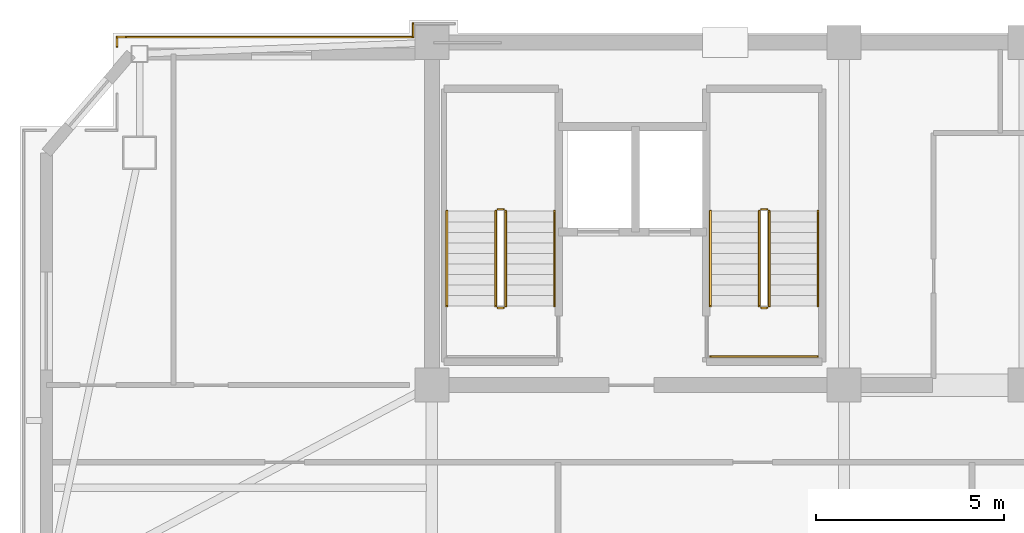
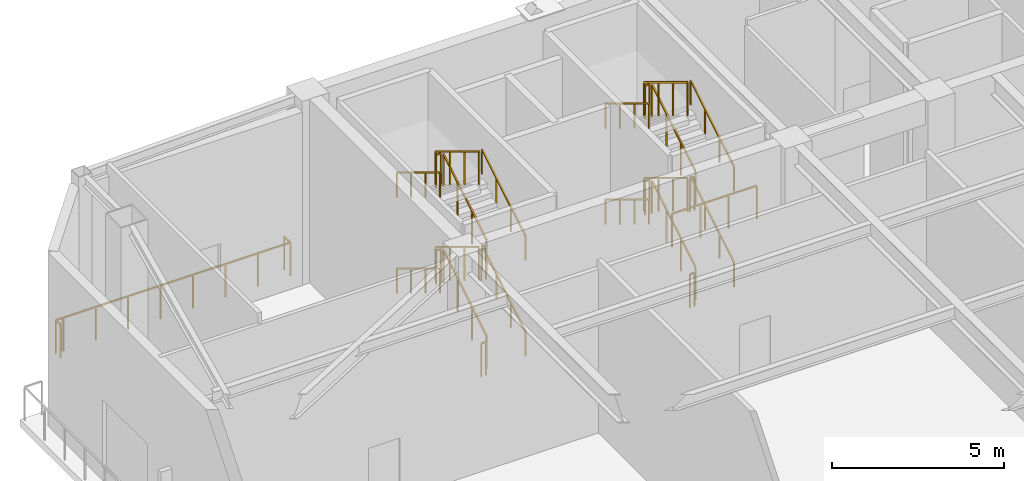
# One storey, part 13 of 15: 29 railings.
"""IFC4 building model written with IfcOpenShell, lengths in metres."""

from ifc_helpers import new_model, si_unit, direction, frame, origin, origin_2d, place, context, subcontext, project, spatial, rectangle, extrude, material, type_object, element, save


model = new_model("IFC4")

# Units and contexts
model_context = context("Model", 3, precision=1e-05, world=origin(), true_north=direction((0.0, 1.0)))
body_context = subcontext(model_context, "Body", "Model", "MODEL_VIEW")
ifc_project = project(units=[si_unit("LENGTHUNIT", "METRE"), si_unit("AREAUNIT", "SQUARE_METRE"), si_unit("VOLUMEUNIT", "CUBIC_METRE"), si_unit("PLANEANGLEUNIT", "RADIAN"), si_unit("MASSUNIT", "GRAM", prefix="KILO")], contexts=[model_context])

# Site, building, storey
site_placement = place(None, origin())
site = spatial("IfcSite", under=ifc_project, at=site_placement, CompositionType="ELEMENT")
building_placement = place(site_placement, origin())
building = spatial("IfcBuilding", under=site, at=building_placement, Name="Giltprow Tower", CompositionType="ELEMENT")
storey_placement = place(building_placement, frame((0.0, 0.0, 279.10009765625)))
storey = spatial("IfcBuildingStorey", under=building, at=storey_placement, Name="L72", CompositionType="ELEMENT", Elevation=279.10009765625)

# Railings
ifc_material = material(Name="Anodized bronze", Category="metal")
railing_type_1 = type_object("IfcRailingType", Name="RAIL-BALC-GUARD-1200", PredefinedType="BALUSTRADE", material=ifc_material)
railing_1_placement = place(storey_placement, frame((11.486083984375, 46.44189453125, 0.0)))
element("IfcRailing", 1, at=railing_1_placement, inside=storey, type_object=railing_type_1, Name="L72 Corner Apron Edge Balustrade 17", PredefinedType="BALUSTRADE", context=body_context, shape_type="SweptSolid", body=[
    extrude(rectangle(XDim=0.048095703125, YDim=0.048095703125, at=origin_2d()), frame((0.0, 0.0, 1.17578125), z_axis=(0.0, 1.0, 0.0), x_axis=(-1.0, 0.0, 0.0)), (0.0, 0.0, 1.0), 0.257080078125),
    extrude(rectangle(XDim=0.0419921875, YDim=0.0419921875, at=origin_2d()), origin(), (0.0, 0.0, 1.0), 1.15185546875),
    extrude(rectangle(XDim=0.0419921875, YDim=0.0419921875, at=origin_2d()), frame((0.0, 0.257080078125, 0.0)), (0.0, 0.0, 1.0), 1.15185546875),
])
railing_2_placement = place(storey_placement, frame((11.486083984375, 46.698974609375, 0.0)))
element("IfcRailing", 2, at=railing_2_placement, inside=storey, type_object=railing_type_1, Name="L72 Corner Apron Edge Balustrade 18", PredefinedType="BALUSTRADE", context=body_context, shape_type="SweptSolid", body=[
    extrude(rectangle(XDim=0.048095703125, YDim=0.048095703125, at=origin_2d()), frame((0.0, 0.0, 1.17578125), z_axis=(1.0, 0.0, 0.0), x_axis=(0.0, 1.0, 0.0)), (0.0, 0.0, 1.0), 0.219970703125),
    extrude(rectangle(XDim=0.0419921875, YDim=0.0419921875, at=origin_2d()), origin(), (0.0, 0.0, 1.0), 1.15185546875),
    extrude(rectangle(XDim=0.0419921875, YDim=0.0419921875, at=origin_2d()), frame((0.219970703125, 0.0, 0.0)), (0.0, 0.0, 1.0), 1.15185546875),
])
railing_3_placement = place(storey_placement, frame((11.737060546875, 46.698974609375, 0.0)))
element("IfcRailing", 3, at=railing_3_placement, inside=storey, type_object=railing_type_1, Name="L72 Corner Apron Edge Balustrade 19", PredefinedType="BALUSTRADE", context=body_context, shape_type="SweptSolid", body=[
    extrude(rectangle(XDim=0.048095703125, YDim=0.048095703125, at=origin_2d()), frame((0.0, 0.0, 1.17578125), z_axis=(1.0, 0.0, 0.0), x_axis=(0.0, 1.0, 0.0)), (0.0, 0.0, 1.0), 7.613037109375),
    extrude(rectangle(XDim=0.0419921875, YDim=0.0419921875, at=origin_2d()), origin(), (0.0, 0.0, 1.0), 1.15185546875),
    extrude(rectangle(XDim=0.0419921875, YDim=0.0419921875, at=origin_2d()), frame((1.087646484375, 0.0, 0.0)), (0.0, 0.0, 1.0), 1.15185546875),
    extrude(rectangle(XDim=0.0419921875, YDim=0.0419921875, at=origin_2d()), frame((2.175048828125, 0.0, 0.0)), (0.0, 0.0, 1.0), 1.15185546875),
    extrude(rectangle(XDim=0.0419921875, YDim=0.0419921875, at=origin_2d()), frame((3.2626953125, 0.0, 0.0)), (0.0, 0.0, 1.0), 1.15185546875),
    extrude(rectangle(XDim=0.0419921875, YDim=0.0419921875, at=origin_2d()), frame((4.350341796875, 0.0, 0.0)), (0.0, 0.0, 1.0), 1.15185546875),
    extrude(rectangle(XDim=0.0419921875, YDim=0.0419921875, at=origin_2d()), frame((5.43798828125, 0.0, 0.0)), (0.0, 0.0, 1.0), 1.15185546875),
    extrude(rectangle(XDim=0.0419921875, YDim=0.0419921875, at=origin_2d()), frame((6.525390625, 0.0, 0.0)), (0.0, 0.0, 1.0), 1.15185546875),
    extrude(rectangle(XDim=0.0419921875, YDim=0.0419921875, at=origin_2d()), frame((7.613037109375, 0.0, 0.0)), (0.0, 0.0, 1.0), 1.15185546875),
])
railing_4_placement = place(storey_placement, frame((19.35009765625, 46.698974609375, 0.0)))
element("IfcRailing", 4, at=railing_4_placement, inside=storey, type_object=railing_type_1, Name="L72 Corner Apron Edge Balustrade 20", PredefinedType="BALUSTRADE", context=body_context, shape_type="SweptSolid", body=[
    extrude(rectangle(XDim=0.048095703125, YDim=0.048095703125, at=origin_2d()), frame((0.0, 0.0, 1.17578125), z_axis=(0.0, 1.0, 0.0), x_axis=(-1.0, 0.0, 0.0)), (0.0, 0.0, 1.0), 0.35107421875),
    extrude(rectangle(XDim=0.0419921875, YDim=0.0419921875, at=origin_2d()), origin(), (0.0, 0.0, 1.0), 1.15185546875),
    extrude(rectangle(XDim=0.0419921875, YDim=0.0419921875, at=origin_2d()), frame((0.0, 0.35107421875, 0.0)), (0.0, 0.0, 1.0), 1.15185546875),
])
railing_type_2 = type_object("IfcRailingType", Name="RAIL-STAIR-GUARD-1200", PredefinedType="GUARDRAIL", material=ifc_material)
railing_5_placement = place(storey_placement, frame((21.81005859375, 39.550048828125, 0.169921875)))
element("IfcRailing", 5, at=railing_5_placement, inside=storey, type_object=railing_type_2, Name="L72 ST-1 stair guard 1", PredefinedType="GUARDRAIL", context=body_context, shape_type="SweptSolid", body=[
    extrude(rectangle(XDim=0.048095703125, YDim=0.048095703125, at=origin_2d()), frame((0.0, 0.0, 1.17578125), z_axis=(0.0, 0.85478489116, 0.518982456201), x_axis=(-1.0, 0.0, 0.0)), (0.0, 0.0, 1.0), 2.9482421875),
    extrude(rectangle(XDim=0.0419921875, YDim=0.0419921875, at=origin_2d()), origin(), (0.0, 0.0, 1.0), 1.15185546875),
    extrude(rectangle(XDim=0.0419921875, YDim=0.0419921875, at=origin_2d()), frame((0.0, 0.840087890625, 0.510009765625)), (0.0, 0.0, 1.0), 1.15185546875),
    extrude(rectangle(XDim=0.0419921875, YDim=0.0419921875, at=origin_2d()), frame((0.0, 1.679931640625, 1.02001953125)), (0.0, 0.0, 1.0), 1.15185546875),
    extrude(rectangle(XDim=0.0419921875, YDim=0.0419921875, at=origin_2d()), frame((0.0, 2.52001953125, 1.530029296875)), (0.0, 0.0, 1.0), 1.15185546875),
])
railing_6_placement = place(storey_placement, frame((21.760009765625, 42.1201171875, 1.699951171875)))
element("IfcRailing", 6, at=railing_6_placement, inside=storey, type_object=railing_type_2, Name="L72 ST-1 stair guard 2", PredefinedType="GUARDRAIL", context=body_context, shape_type="SweptSolid", body=[
    extrude(rectangle(XDim=0.048095703125, YDim=0.048095703125, at=origin_2d()), frame((0.0, 0.0, 1.17578125), z_axis=(-1.0, 0.0, 0.0), x_axis=(0.0, -1.0, 0.0)), (0.0, 0.0, 1.0), 0.159912109375),
    extrude(rectangle(XDim=0.0419921875, YDim=0.0419921875, at=origin_2d()), origin(), (0.0, 0.0, 1.0), 1.15185546875),
    extrude(rectangle(XDim=0.0419921875, YDim=0.0419921875, at=origin_2d()), frame((-0.159912109375, 0.0, 0.0)), (0.0, 0.0, 1.0), 1.15185546875),
])
railing_7_placement = place(storey_placement, frame((21.550048828125, 42.070068359375, 1.869873046875)))
element("IfcRailing", 7, at=railing_7_placement, inside=storey, type_object=railing_type_2, Name="L72 ST-1 stair guard 3", PredefinedType="GUARDRAIL", context=body_context, shape_type="SweptSolid", body=[
    extrude(rectangle(XDim=0.048095703125, YDim=0.048095703125, at=origin_2d()), frame((0.0, 0.0, 1.17578125), z_axis=(0.0, -0.85478489116, 0.518982456201), x_axis=(1.0, 0.0, 0.0)), (0.0, 0.0, 1.0), 2.9482421875),
    extrude(rectangle(XDim=0.0419921875, YDim=0.0419921875, at=origin_2d()), origin(), (0.0, 0.0, 1.0), 1.15185546875),
    extrude(rectangle(XDim=0.0419921875, YDim=0.0419921875, at=origin_2d()), frame((0.0, -0.840087890625, 0.510009765625)), (0.0, 0.0, 1.0), 1.15185546875),
    extrude(rectangle(XDim=0.0419921875, YDim=0.0419921875, at=origin_2d()), frame((0.0, -1.679931640625, 1.02001953125)), (0.0, 0.0, 1.0), 1.15185546875),
    extrude(rectangle(XDim=0.0419921875, YDim=0.0419921875, at=origin_2d()), frame((0.0, -2.52001953125, 1.530029296875)), (0.0, 0.0, 1.0), 1.15185546875),
])
railing_8_placement = place(storey_placement, frame((21.760009765625, 39.5, 3.39990234375)))
element("IfcRailing", 8, at=railing_8_placement, inside=storey, type_object=railing_type_2, Name="L72 ST-1 stair guard 4", PredefinedType="GUARDRAIL", context=body_context, shape_type="SweptSolid", body=[
    extrude(rectangle(XDim=0.048095703125, YDim=0.048095703125, at=origin_2d()), frame((0.0, 0.0, 1.17578125), z_axis=(-1.0, 0.0, 0.0), x_axis=(0.0, -1.0, 0.0)), (0.0, 0.0, 1.0), 0.159912109375),
    extrude(rectangle(XDim=0.0419921875, YDim=0.0419921875, at=origin_2d()), origin(), (0.0, 0.0, 1.0), 1.15185546875),
    extrude(rectangle(XDim=0.0419921875, YDim=0.0419921875, at=origin_2d()), frame((-0.159912109375, 0.0, 0.0)), (0.0, 0.0, 1.0), 1.15185546875),
])
railing_9_placement = place(storey_placement, frame((21.81005859375, 39.550048828125, 3.56982421875)))
element("IfcRailing", 9, at=railing_9_placement, inside=storey, type_object=railing_type_2, Name="L72 ST-1 stair guard 5", PredefinedType="GUARDRAIL", context=body_context, shape_type="SweptSolid", body=[
    extrude(rectangle(XDim=0.048095703125, YDim=0.048095703125, at=origin_2d()), frame((0.0, 0.0, 1.17578125), z_axis=(0.0, 0.85478489116, 0.518982456201), x_axis=(-1.0, 0.0, 0.0)), (0.0, 0.0, 1.0), 2.9482421875),
    extrude(rectangle(XDim=0.0419921875, YDim=0.0419921875, at=origin_2d()), origin(), (0.0, 0.0, 1.0), 1.15185546875),
    extrude(rectangle(XDim=0.0419921875, YDim=0.0419921875, at=origin_2d()), frame((0.0, 0.840087890625, 0.510009765625)), (0.0, 0.0, 1.0), 1.15185546875),
    extrude(rectangle(XDim=0.0419921875, YDim=0.0419921875, at=origin_2d()), frame((0.0, 1.679931640625, 1.02001953125)), (0.0, 0.0, 1.0), 1.15185546875),
    extrude(rectangle(XDim=0.0419921875, YDim=0.0419921875, at=origin_2d()), frame((0.0, 2.52001953125, 1.530029296875)), (0.0, 0.0, 1.0), 1.15185546875),
])
railing_10_placement = place(storey_placement, frame((21.760009765625, 42.1201171875, 5.099853515625)))
element("IfcRailing", 10, at=railing_10_placement, inside=storey, type_object=railing_type_2, Name="L72 ST-1 stair guard 6", PredefinedType="GUARDRAIL", context=body_context, shape_type="SweptSolid", body=[
    extrude(rectangle(XDim=0.048095703125, YDim=0.048095703125, at=origin_2d()), frame((0.0, 0.0, 1.17578125), z_axis=(-1.0, 0.0, 0.0), x_axis=(0.0, -1.0, 0.0)), (0.0, 0.0, 1.0), 0.159912109375),
    extrude(rectangle(XDim=0.0419921875, YDim=0.0419921875, at=origin_2d()), origin(), (0.0, 0.0, 1.0), 1.15185546875),
    extrude(rectangle(XDim=0.0419921875, YDim=0.0419921875, at=origin_2d()), frame((-0.159912109375, 0.0, 0.0)), (0.0, 0.0, 1.0), 1.15185546875),
])
railing_11_placement = place(storey_placement, frame((21.550048828125, 42.070068359375, 5.27001953125)))
element("IfcRailing", 11, at=railing_11_placement, inside=storey, type_object=railing_type_2, Name="L72 ST-1 stair guard 7", PredefinedType="GUARDRAIL", context=body_context, shape_type="SweptSolid", body=[
    extrude(rectangle(XDim=0.048095703125, YDim=0.048095703125, at=origin_2d()), frame((0.0, 0.0, 1.17578125), z_axis=(0.0, -0.854821627497, 0.518921945155), x_axis=(1.0, 0.0, 0.0)), (0.0, 0.0, 1.0), 2.947998046875),
    extrude(rectangle(XDim=0.0419921875, YDim=0.0419921875, at=origin_2d()), origin(), (0.0, 0.0, 1.0), 1.15185546875),
    extrude(rectangle(XDim=0.0419921875, YDim=0.0419921875, at=origin_2d()), frame((0.0, -0.840087890625, 0.510009765625)), (0.0, 0.0, 1.0), 1.15185546875),
    extrude(rectangle(XDim=0.0419921875, YDim=0.0419921875, at=origin_2d()), frame((0.0, -1.679931640625, 1.019775390625)), (0.0, 0.0, 1.0), 1.15185546875),
    extrude(rectangle(XDim=0.0419921875, YDim=0.0419921875, at=origin_2d()), frame((0.0, -2.52001953125, 1.52978515625)), (0.0, 0.0, 1.0), 1.15185546875),
])
railing_12_placement = place(storey_placement, frame((21.760009765625, 39.5, 0.0)))
element("IfcRailing", 12, at=railing_12_placement, inside=storey, type_object=railing_type_2, Name="L72 ST-1 stair guard 8", PredefinedType="GUARDRAIL", context=body_context, shape_type="SweptSolid", body=[
    extrude(rectangle(XDim=0.048095703125, YDim=0.048095703125, at=origin_2d()), frame((0.0, 0.0, 1.17578125), z_axis=(-1.0, 0.0, 0.0), x_axis=(0.0, -1.0, 0.0)), (0.0, 0.0, 1.0), 0.159912109375),
    extrude(rectangle(XDim=0.0419921875, YDim=0.0419921875, at=origin_2d()), origin(), (0.0, 0.0, 1.0), 1.15185546875),
    extrude(rectangle(XDim=0.0419921875, YDim=0.0419921875, at=origin_2d()), frame((-0.159912109375, 0.0, 0.0)), (0.0, 0.0, 1.0), 1.15185546875),
])
railing_13_placement = place(storey_placement, frame((28.81005859375, 39.550048828125, 0.169921875)))
element("IfcRailing", 13, at=railing_13_placement, inside=storey, type_object=railing_type_2, Name="L72 ST-2 stair guard 1", PredefinedType="GUARDRAIL", context=body_context, shape_type="SweptSolid", body=[
    extrude(rectangle(XDim=0.048095703125, YDim=0.048095703125, at=origin_2d()), frame((0.0, 0.0, 1.17578125), z_axis=(0.0, 0.85478489116, 0.518982456201), x_axis=(-1.0, 0.0, 0.0)), (0.0, 0.0, 1.0), 2.9482421875),
    extrude(rectangle(XDim=0.0419921875, YDim=0.0419921875, at=origin_2d()), origin(), (0.0, 0.0, 1.0), 1.15185546875),
    extrude(rectangle(XDim=0.0419921875, YDim=0.0419921875, at=origin_2d()), frame((0.0, 0.840087890625, 0.510009765625)), (0.0, 0.0, 1.0), 1.15185546875),
    extrude(rectangle(XDim=0.0419921875, YDim=0.0419921875, at=origin_2d()), frame((0.0, 1.679931640625, 1.02001953125)), (0.0, 0.0, 1.0), 1.15185546875),
    extrude(rectangle(XDim=0.0419921875, YDim=0.0419921875, at=origin_2d()), frame((0.0, 2.52001953125, 1.530029296875)), (0.0, 0.0, 1.0), 1.15185546875),
])
railing_14_placement = place(storey_placement, frame((28.760009765625, 42.1201171875, 1.699951171875)))
element("IfcRailing", 14, at=railing_14_placement, inside=storey, type_object=railing_type_2, Name="L72 ST-2 stair guard 2", PredefinedType="GUARDRAIL", context=body_context, shape_type="SweptSolid", body=[
    extrude(rectangle(XDim=0.048095703125, YDim=0.048095703125, at=origin_2d()), frame((0.0, 0.0, 1.17578125), z_axis=(-1.0, 0.0, 0.0), x_axis=(0.0, -1.0, 0.0)), (0.0, 0.0, 1.0), 0.159912109375),
    extrude(rectangle(XDim=0.0419921875, YDim=0.0419921875, at=origin_2d()), origin(), (0.0, 0.0, 1.0), 1.15185546875),
    extrude(rectangle(XDim=0.0419921875, YDim=0.0419921875, at=origin_2d()), frame((-0.159912109375, 0.0, 0.0)), (0.0, 0.0, 1.0), 1.15185546875),
])
railing_15_placement = place(storey_placement, frame((28.550048828125, 42.070068359375, 1.869873046875)))
element("IfcRailing", 15, at=railing_15_placement, inside=storey, type_object=railing_type_2, Name="L72 ST-2 stair guard 3", PredefinedType="GUARDRAIL", context=body_context, shape_type="SweptSolid", body=[
    extrude(rectangle(XDim=0.048095703125, YDim=0.048095703125, at=origin_2d()), frame((0.0, 0.0, 1.17578125), z_axis=(0.0, -0.85478489116, 0.518982456201), x_axis=(1.0, 0.0, 0.0)), (0.0, 0.0, 1.0), 2.9482421875),
    extrude(rectangle(XDim=0.0419921875, YDim=0.0419921875, at=origin_2d()), origin(), (0.0, 0.0, 1.0), 1.15185546875),
    extrude(rectangle(XDim=0.0419921875, YDim=0.0419921875, at=origin_2d()), frame((0.0, -0.840087890625, 0.510009765625)), (0.0, 0.0, 1.0), 1.15185546875),
    extrude(rectangle(XDim=0.0419921875, YDim=0.0419921875, at=origin_2d()), frame((0.0, -1.679931640625, 1.02001953125)), (0.0, 0.0, 1.0), 1.15185546875),
    extrude(rectangle(XDim=0.0419921875, YDim=0.0419921875, at=origin_2d()), frame((0.0, -2.52001953125, 1.530029296875)), (0.0, 0.0, 1.0), 1.15185546875),
])
railing_16_placement = place(storey_placement, frame((28.760009765625, 39.5, 3.39990234375)))
element("IfcRailing", 16, at=railing_16_placement, inside=storey, type_object=railing_type_2, Name="L72 ST-2 stair guard 4", PredefinedType="GUARDRAIL", context=body_context, shape_type="SweptSolid", body=[
    extrude(rectangle(XDim=0.048095703125, YDim=0.048095703125, at=origin_2d()), frame((0.0, 0.0, 1.17578125), z_axis=(-1.0, 0.0, 0.0), x_axis=(0.0, -1.0, 0.0)), (0.0, 0.0, 1.0), 0.159912109375),
    extrude(rectangle(XDim=0.0419921875, YDim=0.0419921875, at=origin_2d()), origin(), (0.0, 0.0, 1.0), 1.15185546875),
    extrude(rectangle(XDim=0.0419921875, YDim=0.0419921875, at=origin_2d()), frame((-0.159912109375, 0.0, 0.0)), (0.0, 0.0, 1.0), 1.15185546875),
])
railing_17_placement = place(storey_placement, frame((28.81005859375, 39.550048828125, 3.56982421875)))
element("IfcRailing", 17, at=railing_17_placement, inside=storey, type_object=railing_type_2, Name="L72 ST-2 stair guard 5", PredefinedType="GUARDRAIL", context=body_context, shape_type="SweptSolid", body=[
    extrude(rectangle(XDim=0.048095703125, YDim=0.048095703125, at=origin_2d()), frame((0.0, 0.0, 1.17578125), z_axis=(0.0, 0.85478489116, 0.518982456201), x_axis=(-1.0, 0.0, 0.0)), (0.0, 0.0, 1.0), 2.9482421875),
    extrude(rectangle(XDim=0.0419921875, YDim=0.0419921875, at=origin_2d()), origin(), (0.0, 0.0, 1.0), 1.15185546875),
    extrude(rectangle(XDim=0.0419921875, YDim=0.0419921875, at=origin_2d()), frame((0.0, 0.840087890625, 0.510009765625)), (0.0, 0.0, 1.0), 1.15185546875),
    extrude(rectangle(XDim=0.0419921875, YDim=0.0419921875, at=origin_2d()), frame((0.0, 1.679931640625, 1.02001953125)), (0.0, 0.0, 1.0), 1.15185546875),
    extrude(rectangle(XDim=0.0419921875, YDim=0.0419921875, at=origin_2d()), frame((0.0, 2.52001953125, 1.530029296875)), (0.0, 0.0, 1.0), 1.15185546875),
])
railing_18_placement = place(storey_placement, frame((28.760009765625, 42.1201171875, 5.099853515625)))
element("IfcRailing", 18, at=railing_18_placement, inside=storey, type_object=railing_type_2, Name="L72 ST-2 stair guard 6", PredefinedType="GUARDRAIL", context=body_context, shape_type="SweptSolid", body=[
    extrude(rectangle(XDim=0.048095703125, YDim=0.048095703125, at=origin_2d()), frame((0.0, 0.0, 1.17578125), z_axis=(-1.0, 0.0, 0.0), x_axis=(0.0, -1.0, 0.0)), (0.0, 0.0, 1.0), 0.159912109375),
    extrude(rectangle(XDim=0.0419921875, YDim=0.0419921875, at=origin_2d()), origin(), (0.0, 0.0, 1.0), 1.15185546875),
    extrude(rectangle(XDim=0.0419921875, YDim=0.0419921875, at=origin_2d()), frame((-0.159912109375, 0.0, 0.0)), (0.0, 0.0, 1.0), 1.15185546875),
])
railing_19_placement = place(storey_placement, frame((28.550048828125, 42.070068359375, 5.27001953125)))
element("IfcRailing", 19, at=railing_19_placement, inside=storey, type_object=railing_type_2, Name="L72 ST-2 stair guard 7", PredefinedType="GUARDRAIL", context=body_context, shape_type="SweptSolid", body=[
    extrude(rectangle(XDim=0.048095703125, YDim=0.048095703125, at=origin_2d()), frame((0.0, 0.0, 1.17578125), z_axis=(0.0, -0.854821627497, 0.518921945155), x_axis=(1.0, 0.0, 0.0)), (0.0, 0.0, 1.0), 2.947998046875),
    extrude(rectangle(XDim=0.0419921875, YDim=0.0419921875, at=origin_2d()), origin(), (0.0, 0.0, 1.0), 1.15185546875),
    extrude(rectangle(XDim=0.0419921875, YDim=0.0419921875, at=origin_2d()), frame((0.0, -0.840087890625, 0.510009765625)), (0.0, 0.0, 1.0), 1.15185546875),
    extrude(rectangle(XDim=0.0419921875, YDim=0.0419921875, at=origin_2d()), frame((0.0, -1.679931640625, 1.019775390625)), (0.0, 0.0, 1.0), 1.15185546875),
    extrude(rectangle(XDim=0.0419921875, YDim=0.0419921875, at=origin_2d()), frame((0.0, -2.52001953125, 1.52978515625)), (0.0, 0.0, 1.0), 1.15185546875),
])
railing_20_placement = place(storey_placement, frame((28.760009765625, 39.5, 0.0)))
element("IfcRailing", 20, at=railing_20_placement, inside=storey, type_object=railing_type_2, Name="L72 ST-2 stair guard 8", PredefinedType="GUARDRAIL", context=body_context, shape_type="SweptSolid", body=[
    extrude(rectangle(XDim=0.048095703125, YDim=0.048095703125, at=origin_2d()), frame((0.0, 0.0, 1.17578125), z_axis=(-1.0, 0.0, 0.0), x_axis=(0.0, -1.0, 0.0)), (0.0, 0.0, 1.0), 0.159912109375),
    extrude(rectangle(XDim=0.0419921875, YDim=0.0419921875, at=origin_2d()), origin(), (0.0, 0.0, 1.0), 1.15185546875),
    extrude(rectangle(XDim=0.0419921875, YDim=0.0419921875, at=origin_2d()), frame((-0.159912109375, 0.0, 0.0)), (0.0, 0.0, 1.0), 1.15185546875),
])
railing_21_placement = place(storey_placement, frame((27.260009765625, 38.2099609375, 3.39990234375)))
element("IfcRailing", 21, at=railing_21_placement, inside=storey, type_object=railing_type_2, Name="L72 ST-2 Mid-Landing Guard 2", PredefinedType="GUARDRAIL", context=body_context, shape_type="SweptSolid", body=[
    extrude(rectangle(XDim=0.048095703125, YDim=0.048095703125, at=origin_2d()), frame((0.0, 0.0, 1.17578125), z_axis=(1.0, 0.0, 0.0), x_axis=(0.0, 1.0, 0.0)), (0.0, 0.0, 1.0), 2.840087890625),
    extrude(rectangle(XDim=0.0419921875, YDim=0.0419921875, at=origin_2d()), origin(), (0.0, 0.0, 1.0), 1.15185546875),
    extrude(rectangle(XDim=0.0419921875, YDim=0.0419921875, at=origin_2d()), frame((0.94677734375, 0.0, 0.0)), (0.0, 0.0, 1.0), 1.15185546875),
    extrude(rectangle(XDim=0.0419921875, YDim=0.0419921875, at=origin_2d()), frame((1.893310546875, 0.0, 0.0)), (0.0, 0.0, 1.0), 1.15185546875),
    extrude(rectangle(XDim=0.0419921875, YDim=0.0419921875, at=origin_2d()), frame((2.840087890625, 0.0, 0.0)), (0.0, 0.0, 1.0), 1.15185546875),
])
railing_type_3 = type_object("IfcRailingType", Name="RAIL-STAIR-HAND-900", PredefinedType="HANDRAIL", material=ifc_material)
railing_22_placement = place(storey_placement, frame((23.110107421875, 39.550048828125, 0.169921875)))
element("IfcRailing", 22, at=railing_22_placement, inside=storey, type_object=railing_type_3, Name="L72 ST-1 stair handrail 1", PredefinedType="HANDRAIL", context=body_context, shape_type="SweptSolid", body=[
    extrude(rectangle(XDim=0.048095703125, YDim=0.048095703125, at=origin_2d()), frame((0.0, 0.0, 0.8759765625), z_axis=(0.0, 0.85478489116, 0.518982456201), x_axis=(-1.0, 0.0, 0.0)), (0.0, 0.0, 1.0), 2.9482421875),
    extrude(rectangle(XDim=0.0419921875, YDim=0.0419921875, at=origin_2d()), origin(), (0.0, 0.0, 1.0), 0.851806640625),
    extrude(rectangle(XDim=0.0419921875, YDim=0.0419921875, at=origin_2d()), frame((0.0, 0.840087890625, 0.510009765625)), (0.0, 0.0, 1.0), 0.851806640625),
    extrude(rectangle(XDim=0.0419921875, YDim=0.0419921875, at=origin_2d()), frame((0.0, 1.679931640625, 1.02001953125)), (0.0, 0.0, 1.0), 0.851806640625),
    extrude(rectangle(XDim=0.0419921875, YDim=0.0419921875, at=origin_2d()), frame((0.0, 2.52001953125, 1.530029296875)), (0.0, 0.0, 1.0), 0.851806640625),
])
railing_23_placement = place(storey_placement, frame((20.25, 42.070068359375, 1.869873046875)))
element("IfcRailing", 23, at=railing_23_placement, inside=storey, type_object=railing_type_3, Name="L72 ST-1 stair handrail 2", PredefinedType="HANDRAIL", context=body_context, shape_type="SweptSolid", body=[
    extrude(rectangle(XDim=0.048095703125, YDim=0.048095703125, at=origin_2d()), frame((0.0, 0.0, 0.8759765625), z_axis=(0.0, -0.85478489116, 0.518982456201), x_axis=(1.0, 0.0, 0.0)), (0.0, 0.0, 1.0), 2.9482421875),
    extrude(rectangle(XDim=0.0419921875, YDim=0.0419921875, at=origin_2d()), origin(), (0.0, 0.0, 1.0), 0.851806640625),
    extrude(rectangle(XDim=0.0419921875, YDim=0.0419921875, at=origin_2d()), frame((0.0, -0.840087890625, 0.510009765625)), (0.0, 0.0, 1.0), 0.851806640625),
    extrude(rectangle(XDim=0.0419921875, YDim=0.0419921875, at=origin_2d()), frame((0.0, -1.679931640625, 1.02001953125)), (0.0, 0.0, 1.0), 0.851806640625),
    extrude(rectangle(XDim=0.0419921875, YDim=0.0419921875, at=origin_2d()), frame((0.0, -2.52001953125, 1.530029296875)), (0.0, 0.0, 1.0), 0.851806640625),
])
railing_24_placement = place(storey_placement, frame((23.110107421875, 39.550048828125, 3.56982421875)))
element("IfcRailing", 24, at=railing_24_placement, inside=storey, type_object=railing_type_3, Name="L72 ST-1 stair handrail 3", PredefinedType="HANDRAIL", context=body_context, shape_type="SweptSolid", body=[
    extrude(rectangle(XDim=0.048095703125, YDim=0.048095703125, at=origin_2d()), frame((0.0, 0.0, 0.8759765625), z_axis=(0.0, 0.85478489116, 0.518982456201), x_axis=(-1.0, 0.0, 0.0)), (0.0, 0.0, 1.0), 2.9482421875),
    extrude(rectangle(XDim=0.0419921875, YDim=0.0419921875, at=origin_2d()), origin(), (0.0, 0.0, 1.0), 0.851806640625),
    extrude(rectangle(XDim=0.0419921875, YDim=0.0419921875, at=origin_2d()), frame((0.0, 0.840087890625, 0.510009765625)), (0.0, 0.0, 1.0), 0.851806640625),
    extrude(rectangle(XDim=0.0419921875, YDim=0.0419921875, at=origin_2d()), frame((0.0, 1.679931640625, 1.02001953125)), (0.0, 0.0, 1.0), 0.851806640625),
    extrude(rectangle(XDim=0.0419921875, YDim=0.0419921875, at=origin_2d()), frame((0.0, 2.52001953125, 1.530029296875)), (0.0, 0.0, 1.0), 0.851806640625),
])
railing_25_placement = place(storey_placement, frame((20.25, 42.070068359375, 5.27001953125)))
element("IfcRailing", 25, at=railing_25_placement, inside=storey, type_object=railing_type_3, Name="L72 ST-1 stair handrail 4", PredefinedType="HANDRAIL", context=body_context, shape_type="SweptSolid", body=[
    extrude(rectangle(XDim=0.048095703125, YDim=0.048095703125, at=origin_2d()), frame((0.0, 0.0, 0.8759765625), z_axis=(0.0, -0.854821627497, 0.518921945155), x_axis=(1.0, 0.0, 0.0)), (0.0, 0.0, 1.0), 2.947998046875),
    extrude(rectangle(XDim=0.0419921875, YDim=0.0419921875, at=origin_2d()), origin(), (0.0, 0.0, 1.0), 0.851806640625),
    extrude(rectangle(XDim=0.0419921875, YDim=0.0419921875, at=origin_2d()), frame((0.0, -0.840087890625, 0.510009765625)), (0.0, 0.0, 1.0), 0.851806640625),
    extrude(rectangle(XDim=0.0419921875, YDim=0.0419921875, at=origin_2d()), frame((0.0, -1.679931640625, 1.019775390625)), (0.0, 0.0, 1.0), 0.851806640625),
    extrude(rectangle(XDim=0.0419921875, YDim=0.0419921875, at=origin_2d()), frame((0.0, -2.52001953125, 1.52978515625)), (0.0, 0.0, 1.0), 0.851806640625),
])
railing_26_placement = place(storey_placement, frame((30.110107421875, 39.550048828125, 0.169921875)))
element("IfcRailing", 26, at=railing_26_placement, inside=storey, type_object=railing_type_3, Name="L72 ST-2 stair handrail 1", PredefinedType="HANDRAIL", context=body_context, shape_type="SweptSolid", body=[
    extrude(rectangle(XDim=0.048095703125, YDim=0.048095703125, at=origin_2d()), frame((0.0, 0.0, 0.8759765625), z_axis=(0.0, 0.85478489116, 0.518982456201), x_axis=(-1.0, 0.0, 0.0)), (0.0, 0.0, 1.0), 2.9482421875),
    extrude(rectangle(XDim=0.0419921875, YDim=0.0419921875, at=origin_2d()), origin(), (0.0, 0.0, 1.0), 0.851806640625),
    extrude(rectangle(XDim=0.0419921875, YDim=0.0419921875, at=origin_2d()), frame((0.0, 0.840087890625, 0.510009765625)), (0.0, 0.0, 1.0), 0.851806640625),
    extrude(rectangle(XDim=0.0419921875, YDim=0.0419921875, at=origin_2d()), frame((0.0, 1.679931640625, 1.02001953125)), (0.0, 0.0, 1.0), 0.851806640625),
    extrude(rectangle(XDim=0.0419921875, YDim=0.0419921875, at=origin_2d()), frame((0.0, 2.52001953125, 1.530029296875)), (0.0, 0.0, 1.0), 0.851806640625),
])
railing_27_placement = place(storey_placement, frame((27.25, 42.070068359375, 1.869873046875)))
element("IfcRailing", 27, at=railing_27_placement, inside=storey, type_object=railing_type_3, Name="L72 ST-2 stair handrail 2", PredefinedType="HANDRAIL", context=body_context, shape_type="SweptSolid", body=[
    extrude(rectangle(XDim=0.048095703125, YDim=0.048095703125, at=origin_2d()), frame((0.0, 0.0, 0.8759765625), z_axis=(0.0, -0.85478489116, 0.518982456201), x_axis=(1.0, 0.0, 0.0)), (0.0, 0.0, 1.0), 2.9482421875),
    extrude(rectangle(XDim=0.0419921875, YDim=0.0419921875, at=origin_2d()), origin(), (0.0, 0.0, 1.0), 0.851806640625),
    extrude(rectangle(XDim=0.0419921875, YDim=0.0419921875, at=origin_2d()), frame((0.0, -0.840087890625, 0.510009765625)), (0.0, 0.0, 1.0), 0.851806640625),
    extrude(rectangle(XDim=0.0419921875, YDim=0.0419921875, at=origin_2d()), frame((0.0, -1.679931640625, 1.02001953125)), (0.0, 0.0, 1.0), 0.851806640625),
    extrude(rectangle(XDim=0.0419921875, YDim=0.0419921875, at=origin_2d()), frame((0.0, -2.52001953125, 1.530029296875)), (0.0, 0.0, 1.0), 0.851806640625),
])
railing_28_placement = place(storey_placement, frame((30.110107421875, 39.550048828125, 3.56982421875)))
element("IfcRailing", 28, at=railing_28_placement, inside=storey, type_object=railing_type_3, Name="L72 ST-2 stair handrail 3", PredefinedType="HANDRAIL", context=body_context, shape_type="SweptSolid", body=[
    extrude(rectangle(XDim=0.048095703125, YDim=0.048095703125, at=origin_2d()), frame((0.0, 0.0, 0.8759765625), z_axis=(0.0, 0.85478489116, 0.518982456201), x_axis=(-1.0, 0.0, 0.0)), (0.0, 0.0, 1.0), 2.9482421875),
    extrude(rectangle(XDim=0.0419921875, YDim=0.0419921875, at=origin_2d()), origin(), (0.0, 0.0, 1.0), 0.851806640625),
    extrude(rectangle(XDim=0.0419921875, YDim=0.0419921875, at=origin_2d()), frame((0.0, 0.840087890625, 0.510009765625)), (0.0, 0.0, 1.0), 0.851806640625),
    extrude(rectangle(XDim=0.0419921875, YDim=0.0419921875, at=origin_2d()), frame((0.0, 1.679931640625, 1.02001953125)), (0.0, 0.0, 1.0), 0.851806640625),
    extrude(rectangle(XDim=0.0419921875, YDim=0.0419921875, at=origin_2d()), frame((0.0, 2.52001953125, 1.530029296875)), (0.0, 0.0, 1.0), 0.851806640625),
])
railing_29_placement = place(storey_placement, frame((27.25, 42.070068359375, 5.27001953125)))
element("IfcRailing", 29, at=railing_29_placement, inside=storey, type_object=railing_type_3, Name="L72 ST-2 stair handrail 4", PredefinedType="HANDRAIL", context=body_context, shape_type="SweptSolid", body=[
    extrude(rectangle(XDim=0.048095703125, YDim=0.048095703125, at=origin_2d()), frame((0.0, 0.0, 0.8759765625), z_axis=(0.0, -0.854821627497, 0.518921945155), x_axis=(1.0, 0.0, 0.0)), (0.0, 0.0, 1.0), 2.947998046875),
    extrude(rectangle(XDim=0.0419921875, YDim=0.0419921875, at=origin_2d()), origin(), (0.0, 0.0, 1.0), 0.851806640625),
    extrude(rectangle(XDim=0.0419921875, YDim=0.0419921875, at=origin_2d()), frame((0.0, -0.840087890625, 0.510009765625)), (0.0, 0.0, 1.0), 0.851806640625),
    extrude(rectangle(XDim=0.0419921875, YDim=0.0419921875, at=origin_2d()), frame((0.0, -1.679931640625, 1.019775390625)), (0.0, 0.0, 1.0), 0.851806640625),
    extrude(rectangle(XDim=0.0419921875, YDim=0.0419921875, at=origin_2d()), frame((0.0, -2.52001953125, 1.52978515625)), (0.0, 0.0, 1.0), 0.851806640625),
])

save(model, "model.ifc")
